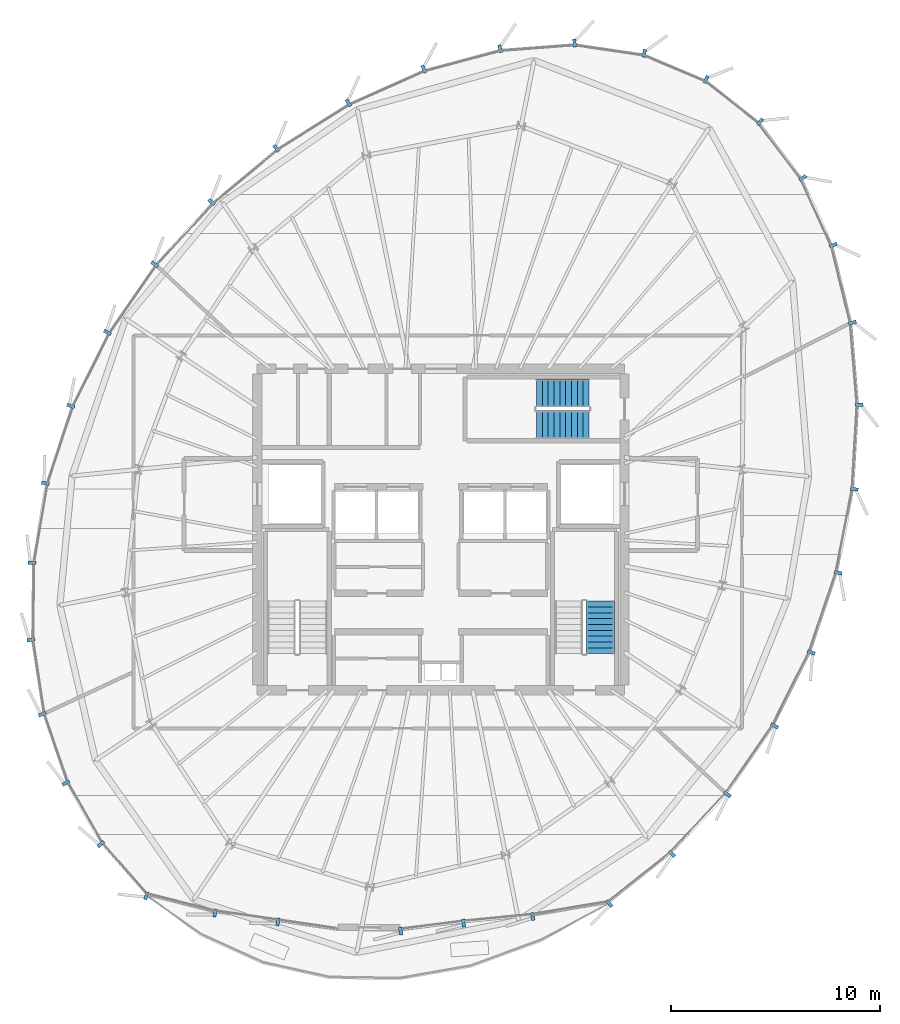
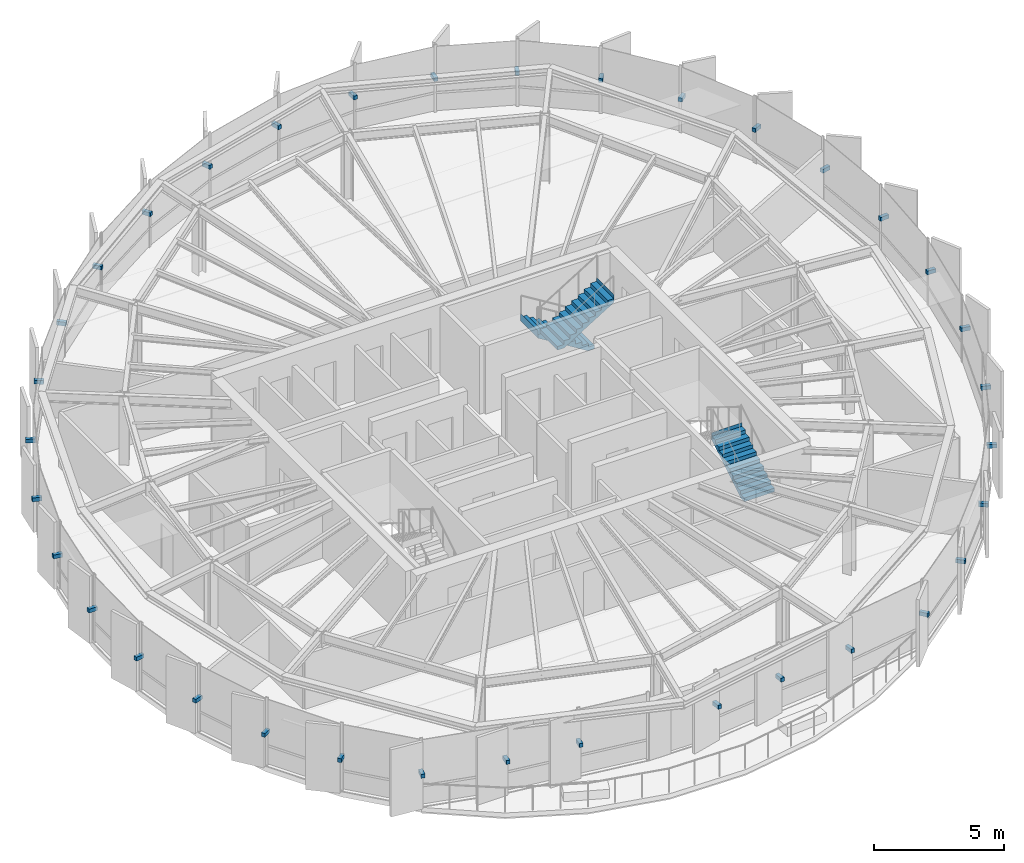
# One storey, part 28 of 32: 35 discrete accessories, 3 stair flights, 2 elements without a shape of their own.
"""IFC4 building model written with IfcOpenShell, lengths in metres."""

from ifc_helpers import new_model, si_unit, direction, frame, origin, origin_2d, place, context, subcontext, project, spatial, polyline, rectangle, outline, extrude, source, transform, mapped, material, type_object, element, aggregate, save


model = new_model("IFC4")

# Units and contexts
model_context = context("Model", 3, precision=1e-05, world=origin(), true_north=direction((0.0, 1.0)))
body_context = subcontext(model_context, "Body", "Model", "MODEL_VIEW")
ifc_project = project(units=[si_unit("LENGTHUNIT", "METRE"), si_unit("AREAUNIT", "SQUARE_METRE"), si_unit("VOLUMEUNIT", "CUBIC_METRE"), si_unit("PLANEANGLEUNIT", "RADIAN"), si_unit("MASSUNIT", "GRAM", prefix="KILO"), si_unit("THERMODYNAMICTEMPERATUREUNIT", "KELVIN")], contexts=[model_context])

# Site, building, storey
site_placement = place(None, origin())
site = spatial("IfcSite", under=ifc_project, at=site_placement, CompositionType="ELEMENT")
building_placement = place(site_placement, origin())
building = spatial("IfcBuilding", under=site, at=building_placement, Name="Kethvar Cultural Tower", CompositionType="ELEMENT")
storey_placement = place(building_placement, frame((0.0, 0.0, 273.25)))
storey = spatial("IfcBuildingStorey", under=building, at=storey_placement, Name="L72", CompositionType="ELEMENT", Elevation=273.25)

# Stair, stair flight
ifc_material_1 = material(Name="Concrete C40/50", Category="concrete")
stair_type = type_object("IfcStairType", Name="ST-DOGLEG-135", PredefinedType="HALF_TURN_STAIR", material=ifc_material_1)
stair_1_placement = place(storey_placement, origin())
stair_1 = element("IfcStair", 1, at=stair_1_placement, inside=storey, type_object=stair_type, Name="L72 Core Exit Stair 2", PredefinedType="HALF_TURN_STAIR")
stair_flight_type = type_object("IfcStairFlightType", Name="FL-STRAIGHT-135", PredefinedType="STRAIGHT", material=ifc_material_1)
stair_flight_1_placement = place(storey_placement, frame((54.43505859375, 21.85009765625, 0.0), z_axis=(0.0, 0.0, 1.0), x_axis=(0.0, 1.0, 0.0)))
stair_flight_1 = element("IfcStairFlight", 2, at=stair_flight_1_placement, type_object=stair_flight_type, Name="ST-02 flight 1", NumberOfRisers=10, NumberOfTreads=9, PredefinedType="STRAIGHT", RiserHeight=0.1725, TreadLength=0.28, context=body_context, shape_type="SweptSolid", body=[
    extrude(outline(polyline([(-0.0009765625, -0.0009765625), (-0.0009765625, 0.172607421875), (0.280029296875, 0.172607421875), (0.280029296875, 0.344970703125), (0.56005859375, 0.344970703125), (0.56005859375, 0.517578125), (0.840087890625, 0.517578125), (0.840087890625, 0.68994140625), (1.1201171875, 0.68994140625), (1.1201171875, 0.862548828125), (1.39990234375, 0.862548828125), (1.39990234375, 1.034912109375), (1.679931640625, 1.034912109375), (1.679931640625, 1.20751953125), (1.9599609375, 1.20751953125), (1.9599609375, 1.3798828125), (2.239990234375, 1.3798828125), (2.239990234375, 1.552490234375), (2.52001953125, 1.552490234375), (2.52001953125, 1.72509765625), (2.52099609375, 1.72509765625), (2.52099609375, 1.37646484375), (0.285888671875, 0.0), (0.0, -0.0009765625), (-0.0009765625, -0.0009765625)])), frame((0.0, 0.675048828125, 0.0), z_axis=(0.0, -1.0, 0.0), x_axis=(1.0, 0.0, 0.0)), (0.0, 0.0, 1.0), 1.35009765625),
])
aggregate(stair_1, [stair_flight_1])

# Stair, stair flights
stair_2_placement = place(storey_placement, origin())
stair_2 = element("IfcStair", 3, at=stair_2_placement, inside=storey, type_object=stair_type, Name="L72 Core Exit Stair 3", PredefinedType="HALF_TURN_STAIR")
stair_flight_2_placement = place(storey_placement, frame((53.89990234375, 34.3349609375, 0.0), z_axis=(0.0, 0.0, 1.0), x_axis=(-1.0, 0.0, 0.0)))
stair_flight_2 = element("IfcStairFlight", 4, at=stair_flight_2_placement, type_object=stair_flight_type, Name="ST-03 flight 1", NumberOfRisers=10, NumberOfTreads=9, PredefinedType="STRAIGHT", RiserHeight=0.1725, TreadLength=0.28, context=body_context, shape_type="SweptSolid", body=[
    extrude(outline(polyline([(-0.0009765625, -0.0009765625), (-0.0009765625, 0.172607421875), (0.280029296875, 0.172607421875), (0.280029296875, 0.344970703125), (0.56005859375, 0.344970703125), (0.56005859375, 0.517578125), (0.840087890625, 0.517578125), (0.840087890625, 0.68994140625), (1.1201171875, 0.68994140625), (1.1201171875, 0.862548828125), (1.39990234375, 0.862548828125), (1.39990234375, 1.034912109375), (1.679931640625, 1.034912109375), (1.679931640625, 1.20751953125), (1.9599609375, 1.20751953125), (1.9599609375, 1.3798828125), (2.239990234375, 1.3798828125), (2.239990234375, 1.552490234375), (2.52001953125, 1.552490234375), (2.52001953125, 1.72509765625), (2.52099609375, 1.72509765625), (2.52099609375, 1.37646484375), (0.285888671875, 0.0), (0.0, -0.0009765625), (-0.0009765625, -0.0009765625)])), frame((0.0, 0.675048828125, 0.0), z_axis=(0.0, -1.0, 0.0), x_axis=(1.0, 0.0, 0.0)), (0.0, 0.0, 1.0), 1.35009765625),
])
stair_flight_3_placement = place(storey_placement, frame((51.3798828125, 32.824951171875, 1.72509765625), z_axis=(0.0, 0.0, 1.0), x_axis=(1.0, 0.0, 0.0)))
stair_flight_3 = element("IfcStairFlight", 5, at=stair_flight_3_placement, type_object=stair_flight_type, Name="ST-03 flight 2", NumberOfRisers=10, NumberOfTreads=9, PredefinedType="STRAIGHT", RiserHeight=0.1725, TreadLength=0.28, context=body_context, shape_type="SweptSolid", body=[
    extrude(outline(polyline([(-0.0009765625, -0.0009765625), (-0.0009765625, 0.172607421875), (0.280029296875, 0.172607421875), (0.280029296875, 0.344970703125), (0.56005859375, 0.344970703125), (0.56005859375, 0.517578125), (0.840087890625, 0.517578125), (0.840087890625, 0.68994140625), (1.1201171875, 0.68994140625), (1.1201171875, 0.862548828125), (1.39990234375, 0.862548828125), (1.39990234375, 1.034912109375), (1.679931640625, 1.034912109375), (1.679931640625, 1.20751953125), (1.9599609375, 1.20751953125), (1.9599609375, 1.3798828125), (2.239990234375, 1.3798828125), (2.239990234375, 1.552490234375), (2.52001953125, 1.552490234375), (2.52001953125, 1.72509765625), (2.52099609375, 1.72509765625), (2.52099609375, 1.37646484375), (0.285888671875, 0.0), (0.0, -0.0009765625), (-0.0009765625, -0.0009765625)])), frame((0.0, 0.675048828125, 0.0), z_axis=(0.0, -1.0, 0.0), x_axis=(1.0, 0.0, 0.0)), (0.0, 0.0, 1.0), 1.35009765625),
])
aggregate(stair_2, [stair_flight_2, stair_flight_3])

# Discrete accessories
ifc_material_2 = material(Name="Steel S355J2", Category="steel")
discrete_accessory_type = type_object("IfcDiscreteAccessoryType", Name="Steel Fin Bracket BRK-01", PredefinedType="BRACKET", material=ifc_material_2)
shared_shape = source(origin(), body_context, "Body", "SweptSolid", [
    extrude(rectangle(XDim=0.3798828125, YDim=0.159912109375, at=origin_2d()), origin(), (0.0, 0.0, 1.0), 0.179931640625),
])
for number, where, z_axis, x_axis, name in (
    (6, (59.51025390625, 49.364013671875, 1.51513671875), (0.0, 0.0, 1.0), (0.389606228328, 0.920981534477, 0.0), "L72 Terracotta Fin Bracket 1.1"),
    (7, (56.547607421875, 50.616943359375, 1.51513671875), (0.0, 0.0, 1.0), (0.145565026779, 0.989348686247, 0.0), "L72 Terracotta Fin Bracket 1.2"),
    (8, (53.20751953125, 51.108154296875, 1.51513671875), (0.0, 0.0, 1.0), (-0.075326805528, 0.997158900261, 0.0), "L72 Terracotta Fin Bracket 1.3"),
    (9, (49.64208984375, 50.83837890625, 1.51513671875), (0.0, 0.0, 1.0), (-0.258819045103, 0.965925826289, 0.0), "L72 Terracotta Fin Bracket 1.4"),
    (10, (45.984130859375, 49.85791015625, 1.51513671875), (0.0, 0.0, 1.0), (-0.408011796273, 0.912976655837, 0.0), "L72 Terracotta Fin Bracket 1.5"),
    (11, (42.372802734375, 48.243896484375, 1.51513671875), (0.0, 0.0, 1.0), (-0.532137630417, 0.846657866138, 0.0), "L72 Terracotta Fin Bracket 1.6"),
    (12, (38.91455078125, 46.064453125, 1.51513671875), (0.0, 0.0, 1.0), (-0.639975598965, 0.76839523211, 0.0), "L72 Terracotta Fin Bracket 2.1"),
    (13, (35.81298828125, 43.481201171875, 1.51513671875), (0.0, 0.0, 1.0), (-0.736333316555, 0.676618982095, 0.0), "L72 Terracotta Fin Bracket 2.2"),
    (14, (33.08447265625, 40.51171875, 1.51513671875), (0.0, 0.0, 1.0), (-0.822442002381, 0.568848971802, 0.0), "L72 Terracotta Fin Bracket 2.3"),
    (15, (30.825927734375, 37.246337890625, 1.51513671875), (0.0, 0.0, 1.0), (-0.894934361602, 0.44619781311, 0.0), "L72 Terracotta Fin Bracket 2.4"),
    (16, (29.06787109375, 33.719482421875, 1.51513671875), (0.0, 0.0, 1.0), (-0.949917524329, 0.312500715155, 0.0), "L72 Terracotta Fin Bracket 2.5"),
    (17, (27.8486328125, 30.01318359375, 1.51513671875), (0.0, 0.0, 1.0), (-0.985762222924, 0.168145293887, 0.0), "L72 Terracotta Fin Bracket 2.6"),
    (18, (27.20458984375, 26.20361328125, 1.51513671875), (0.0, 0.0, 1.0), (-0.99991659691, 0.0129150774, 0.0), "L72 Terracotta Fin Bracket 3.1"),
    (19, (27.15673828125, 22.512939453125, 1.51513671875), (0.0, 0.0, 1.0), (-0.988388045954, -0.151950882248, 0.0), "L72 Terracotta Fin Bracket 3.2"),
    (20, (27.705322265625, 18.947021484375, 1.51513671875), (0.0, 0.0, 1.0), (-0.946085358828, -0.323917418198, 0.0), "L72 Terracotta Fin Bracket 3.3"),
    (21, (28.834228515625, 15.64990234375, 1.51513671875), (0.0, 0.0, 1.0), (-0.868025549363, -0.496519531995, 0.0), "L72 Terracotta Fin Bracket 3.4"),
    (22, (30.509033203125, 12.72216796875, 1.51513671875), (0.0, 0.0, 1.0), (-0.751264133504, -0.660001667961, 0.0), "L72 Terracotta Fin Bracket 3.5"),
    (23, (32.6826171875, 10.250732421875, 1.51513671875), (0.0, 0.0, 1.0), (-0.245138182011, -0.969488149345, 0.0), "L72 Terracotta Fin Bracket 3.6"),
    (24, (35.974365234375, 9.422607421875, 1.51513671875), (0.0, 0.0, 1.0), (-0.140382837472, -0.990097297715, 0.0), "L72 Terracotta Fin Bracket 4.1"),
    (25, (38.989013671875, 8.9951171875, 1.51513671875), (0.0, 0.0, 1.0), (-0.146083028562, -0.989272332963, 0.0), "L72 Terracotta Fin Bracket 4.2"),
    (26, (44.869384765625, 8.5576171875, 1.51513671875), (0.0, 0.0, 1.0), (0.124121043561, -0.99226708428, 0.0), "L72 Terracotta Fin Bracket 5.1"),
    (27, (47.88720703125, 8.93505859375, 1.51513671875), (0.0, 0.0, 1.0), (0.097061786558, -0.995278357843, 0.0), "L72 Terracotta Fin Bracket 5.2"),
    (28, (51.19921875, 9.258056640625, 1.51513671875), (0.0, 0.0, 1.0), (0.165908239462, -0.986141194799, 0.0), "L72 Terracotta Fin Bracket 5.3"),
    (29, (54.873779296875, 9.877685546875, 1.51513671875), (0.0, 0.0, 1.0), (0.622241416936, -0.78282540777, 0.0), "L72 Terracotta Fin Bracket 5.4"),
    (30, (57.87060546875, 12.260009765625, 1.51513671875), (0.0, 0.0, 1.0), (0.731472721648, -0.681870704375, 0.0), "L72 Terracotta Fin Bracket 5.5"),
    (31, (60.531005859375, 15.114013671875, 1.51513671875), (0.0, 0.0, 1.0), (0.822144041031, -0.569279523431, 0.0), "L72 Terracotta Fin Bracket 5.6"),
    (32, (62.7900390625, 18.3857421875, 1.51513671875), (0.0, 0.0, 1.0), (0.894700610308, -0.446666338461, 0.0), "L72 Terracotta Fin Bracket 6.1"),
    (33, (64.54736328125, 21.90625, 1.51513671875), (0.0, 0.0, 1.0), (0.947657014468, -0.319290123445, 0.0), "L72 Terracotta Fin Bracket 6.2"),
    (34, (65.8349609375, 25.727783203125, 1.51513671875), (0.0, 0.0, 1.0), (0.981660470949, -0.190637666207, 0.0), "L72 Terracotta Fin Bracket 6.3"),
    (35, (66.611083984375, 29.725341796875, 1.51513671875), (0.0, 0.0, 1.0), (0.998280988315, -0.058609456311, 0.0), "L72 Terracotta Fin Bracket 6.4"),
    (36, (66.847900390625, 33.770751953125, 1.51513671875), (0.0, 0.0, 1.0), (0.996608724165, 0.082286395708, 0.0), "L72 Terracotta Fin Bracket 6.5"),
    (37, (66.5224609375, 37.712890625, 1.51513671875), (0.0, 0.0, 1.0), (0.97113427991, 0.238533457579, 0.0), "L72 Terracotta Fin Bracket 6.6"),
    (38, (65.60400390625, 41.423583984375, 1.51513671875), (0.0, 0.0, 1.0), (0.910105970685, 0.414375580993, 0.0), "L72 Terracotta Fin Bracket 7.1"),
    (39, (64.13720703125, 44.645751953125, 1.51513671875), (0.0, 0.0, 1.0), (0.796846376179, 0.604181969914, 0.0), "L72 Terracotta Fin Bracket 7.2"),
    (40, (62.096923828125, 47.335693359375, 1.51513671875), (0.0, 0.0, 1.0), (0.619368038909, 0.785100778485, 0.0), "L72 Terracotta Fin Bracket 7.3"),
):
    element("IfcDiscreteAccessory", number, at=place(storey_placement, frame(where, z_axis=z_axis, x_axis=x_axis)), inside=storey, type_object=discrete_accessory_type, Name=name, PredefinedType="BRACKET", context=body_context, shape_type="MappedRepresentation", body=[
        mapped(shared_shape, transform((0.0, 0.0, 0.0), scale=1.0)),
    ])

save(model, "model.ifc")
